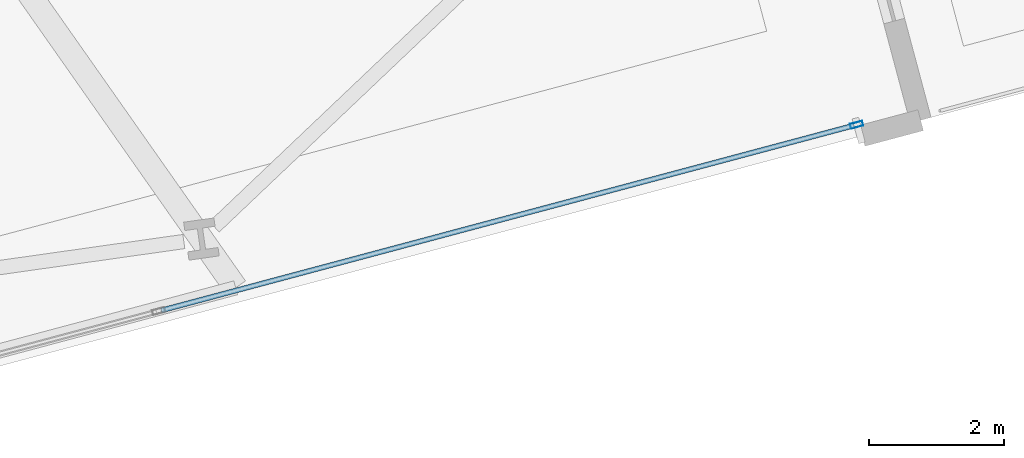
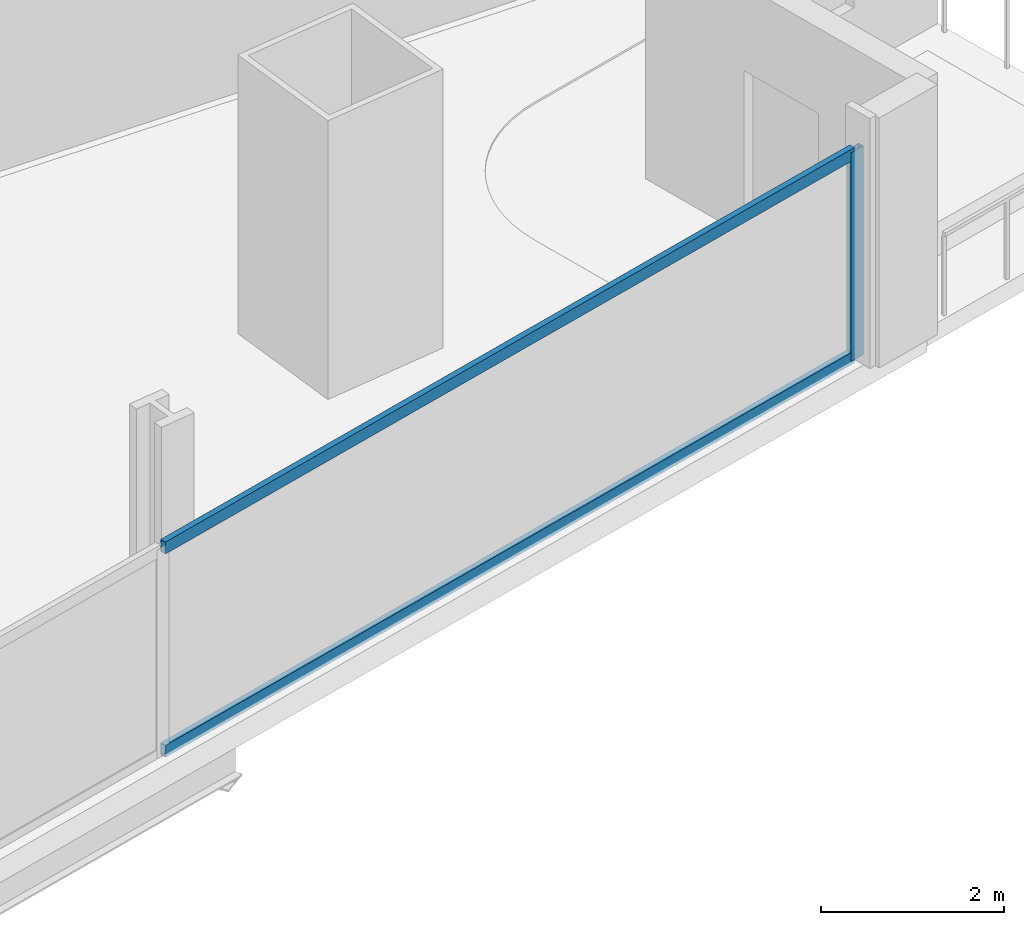
# One storey, part 10 of 33: 3 members, 1 element without a shape of its own.
"""IFC4 building model written with IfcOpenShell, lengths in metres."""

from ifc_helpers import new_model, si_unit, direction, frame, origin, origin_2d, place, context, subcontext, project, spatial, hollow_rectangle, extrude, material, material_profile, profile_set, type_object, element, aggregate, save


model = new_model("IFC4")

# Units and contexts
model_context = context("Model", 3, precision=1e-05, world=origin(), true_north=direction((0.0, 1.0)))
body_context = subcontext(model_context, "Body", "Model", "MODEL_VIEW")
ifc_project = project(units=[si_unit("LENGTHUNIT", "METRE"), si_unit("AREAUNIT", "SQUARE_METRE"), si_unit("VOLUMEUNIT", "CUBIC_METRE"), si_unit("PLANEANGLEUNIT", "RADIAN"), si_unit("MASSUNIT", "GRAM", prefix="KILO")], contexts=[model_context])

# Site, building, storey
site_placement = place(None, origin())
site = spatial("IfcSite", under=ifc_project, at=site_placement, CompositionType="ELEMENT")
building_placement = place(site_placement, origin())
building = spatial("IfcBuilding", under=site, at=building_placement, Name="Haldenkirk Collegiate Tower", CompositionType="ELEMENT")
storey_placement = place(building_placement, frame((0.0, 0.0, 77.699951171875)))
storey = spatial("IfcBuildingStorey", under=building, at=storey_placement, Name="L18", CompositionType="ELEMENT", Elevation=77.699951171875)

# Curtain wall, members
ifc_material = material(Name="Anodised architectural bronze aluminium", Category="aluminium")
curtain_wall_type = type_object("IfcCurtainWallType", Name="CW-SYS2-CONCAVE", PredefinedType="USERDEFINED", material=ifc_material)
curtain_wall_placement = place(storey_placement, origin())
curtain_wall = element("IfcCurtainWall", 1, at=curtain_wall_placement, inside=storey, type_object=curtain_wall_type, Name="L18 South concave recessed bronze-anodised curtain wall", ObjectType="UNITISED CURTAIN WALL", PredefinedType="USERDEFINED")
ifc_material_profile_1 = material_profile(ifc_material, hollow_rectangle(XDim=0.074951171875, YDim=0.18994140625, WallThickness=0.0048828125, at=origin_2d()), Name="CW-MUL-02")
ifc_profile_set_1 = profile_set([ifc_material_profile_1], Name="Anodised architectural bronze aluminium")
member_type_1 = type_object("IfcMemberType", Name="CW-MUL-02", PredefinedType="MULLION", material=ifc_profile_set_1)
member_1_placement = place(storey_placement, frame((63.142333984375, 7.739013671875, 0.0), z_axis=(0.0, 0.0, 1.0), x_axis=(0.257976294663, -0.966151246644, 0.0)))
member_1 = element("IfcMember", 2, at=member_1_placement, type_object=member_type_1, Name="CW-02 mullion 1", PredefinedType="MULLION", context=body_context, shape_type="SweptSolid", body=[
    extrude(hollow_rectangle(XDim=0.074951171875, YDim=0.18994140625, WallThickness=0.0048828125, at=origin_2d()), origin(), (0.0, 0.0, 1.0), 2.791015625),
])
ifc_material_profile_2 = material_profile(ifc_material, hollow_rectangle(XDim=0.074951171875, YDim=0.159912109375, WallThickness=0.0048828125, at=origin_2d()), Name="CW-TRN-02")
ifc_profile_set_2 = profile_set([ifc_material_profile_2], Name="Anodised architectural bronze aluminium")
member_type_2 = type_object("IfcMemberType", Name="CW-TRN-02", PredefinedType="USERDEFINED", material=ifc_profile_set_2)
member_2_placement = place(storey_placement, frame((63.10595703125, 7.729248046875, 0.03759765625), z_axis=(-0.966149378, -0.257983292853, 0.0), x_axis=(0.257983292853, -0.966149378, 0.0)))
member_2 = element("IfcMember", 3, at=member_2_placement, type_object=member_type_2, Name="CW-02 transom 1.1", ObjectType="TRANSOM", PredefinedType="USERDEFINED", context=body_context, shape_type="SweptSolid", body=[
    extrude(hollow_rectangle(XDim=0.074951171875, YDim=0.159912109375, WallThickness=0.0048828125, at=origin_2d()), origin(), (0.0, 0.0, 1.0), 10.662353515625),
])
member_3_placement = place(storey_placement, frame((63.10595703125, 7.729248046875, 2.753662109375), z_axis=(-0.966149378, -0.257983292853, 0.0), x_axis=(0.257983292853, -0.966149378, 0.0)))
member_3 = element("IfcMember", 4, at=member_3_placement, type_object=member_type_2, Name="CW-02 transom 1.2", ObjectType="TRANSOM", PredefinedType="USERDEFINED", context=body_context, shape_type="SweptSolid", body=[
    extrude(hollow_rectangle(XDim=0.074951171875, YDim=0.159912109375, WallThickness=0.0048828125, at=origin_2d()), origin(), (0.0, 0.0, 1.0), 10.662353515625),
])
aggregate(curtain_wall, [member_1, member_2, member_3])

save(model, "model.ifc")
